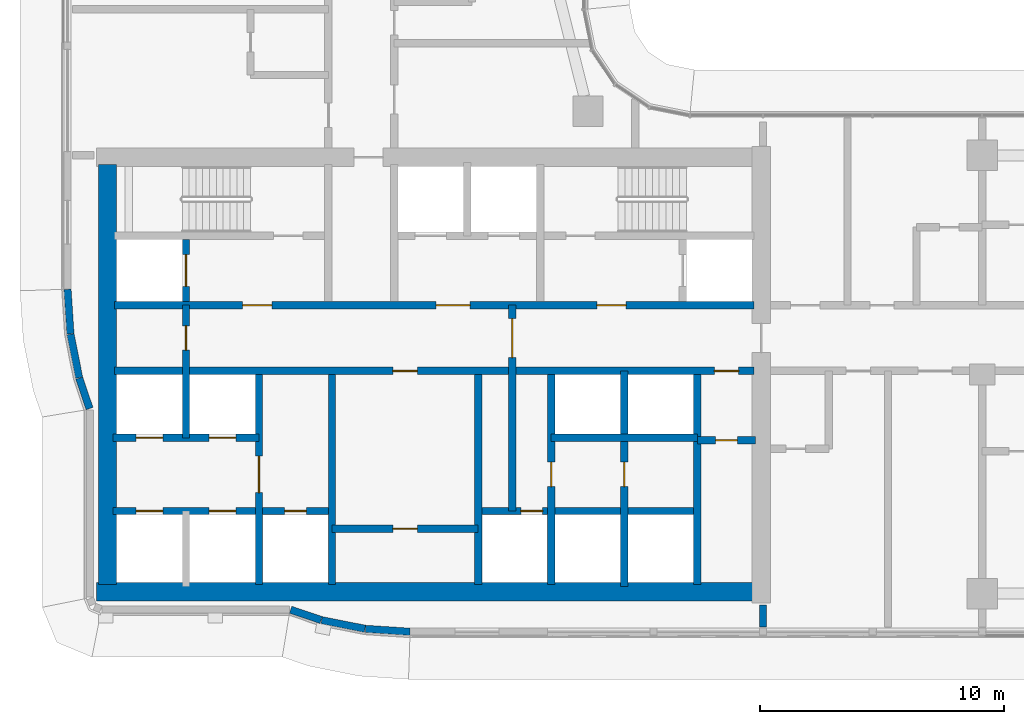
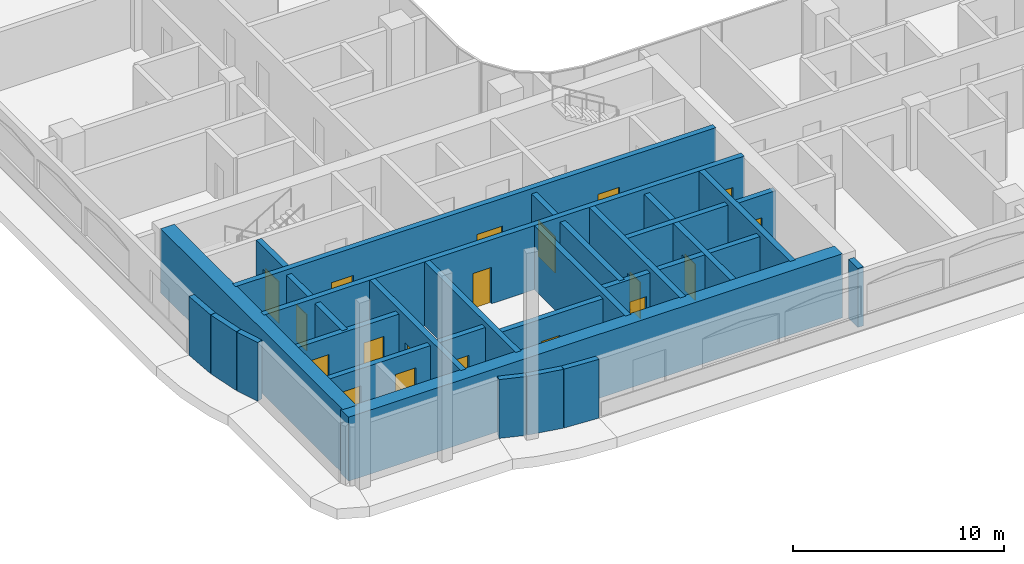
# One storey, part 9 of 25: 26 walls, 19 doors, 19 openings.
"""IFC4 building model written with IfcOpenShell, lengths in metres."""

from ifc_helpers import new_model, si_unit, direction, frame, frame_2d, origin, place, context, subcontext, project, spatial, rectangle, extrude, material, layer, layer_set, type_object, element, fill, save


model = new_model("IFC4")

# Units and contexts
model_context = context("Model", 3, precision=1e-05, world=origin(), true_north=direction((0.0, 1.0)))
body_context = subcontext(model_context, "Body", "Model", "MODEL_VIEW")
ifc_project = project(units=[si_unit("LENGTHUNIT", "METRE"), si_unit("AREAUNIT", "SQUARE_METRE"), si_unit("VOLUMEUNIT", "CUBIC_METRE"), si_unit("PLANEANGLEUNIT", "RADIAN"), si_unit("MASSUNIT", "GRAM", prefix="KILO")], contexts=[model_context])

# Site, building, storey
site_placement = place(None, origin())
site = spatial("IfcSite", under=ifc_project, at=site_placement, CompositionType="ELEMENT")
building_placement = place(site_placement, origin())
building = spatial("IfcBuilding", under=site, at=building_placement, Name="Ogive Portal Towers", CompositionType="ELEMENT")
storey_placement = place(building_placement, frame((0.0, 0.0, 124.10009765625)))
storey = spatial("IfcBuildingStorey", under=building, at=storey_placement, Name="L30", CompositionType="ELEMENT", Elevation=124.10009765625)

# Wall, opening, door
ifc_material_1 = material(Name="Concrete C60/75", Category="concrete")
ifc_layer_1 = layer(ifc_material_1, 0.300048828125)
ifc_layer_set_1 = layer_set([ifc_layer_1], Name="CORE WALL 300 C60")
wall_type_1 = type_object("IfcWallType", Name="CORE WALL 300 C60", PredefinedType="SHEAR", material=ifc_layer_set_1)
wall_1_placement = place(storey_placement, frame((37.800048828125, 21.875, 0.0), z_axis=(0.0, 0.0, 1.0), x_axis=(0.0, 1.0, 0.0)))
wall_1 = element("IfcWall", 1, at=wall_1_placement, inside=storey, type_object=wall_type_1, Name="Core wall X1 L30", PredefinedType="SHEAR", context=body_context, shape_type="SweptSolid", body=[
    extrude(rectangle(XDim=8.625, YDim=0.300048828125, at=frame_2d((4.3125, 0.0))), origin(), (0.0, 0.0, 1.0), 3.699951171875),
])
opening_1_placement = place(wall_1_placement, frame((3.77490234375, 0.0, 0.0)))
opening_1 = element("IfcOpeningElement", 2, at=opening_1_placement, cuts=wall_1, Name="Opening D11-002", PredefinedType="OPENING", context=body_context, shape_type="SweptSolid", body=[
    extrude(rectangle(XDim=1.5, YDim=2.10009765625, at=frame_2d((0.75, 1.050048828125))), frame((0.0, 0.16015625, 0.0), z_axis=(0.0, -1.0, 0.0), x_axis=(1.0, 0.0, 0.0)), (0.0, 0.0, 1.0), 0.320068359375),
])
ifc_material_2 = material(Name="Steel fire door", Category="steel")
door_type_1 = type_object("IfcDoorType", Name="DT-SWING-1500x2100-FD90S", OperationType="SINGLE_SWING_LEFT", PredefinedType="DOOR", material=ifc_material_2)
door_1_placement = place(opening_1_placement, origin())
door_1 = element("IfcDoor", 3, at=door_1_placement, inside=storey, type_object=door_type_1, Name="Door D11-002", OperationType="SINGLE_SWING_LEFT", OverallHeight=2.10009765625, OverallWidth=1.5, PredefinedType="DOOR", context=body_context, shape_type="SweptSolid", body=[
    extrude(rectangle(XDim=1.5, YDim=2.10009765625, at=frame_2d((0.75, 1.050048828125))), frame((0.0, 0.02490234375, 0.0), z_axis=(0.0, -1.0, 0.0), x_axis=(1.0, 0.0, 0.0)), (0.0, 0.0, 1.0), 0.050048828125),
])
fill(opening_1, door_1)

# Walls
for number, where, z_axis, x_axis, name in (
    (4, (40.800048828125, 21.875, 0.0), (0.0, 0.0, 1.0), (0.0, 1.0, 0.0), "Core wall X2 L30"),
    (5, (46.800048828125, 21.875, 0.0), (0.0, 0.0, 1.0), (0.0, 1.0, 0.0), "Core wall X3 L30"),
):
    element("IfcWall", number, at=place(storey_placement, frame(where, z_axis=z_axis, x_axis=x_axis)), inside=storey, type_object=wall_type_1, Name=name, PredefinedType="SHEAR", context=body_context, shape_type="SweptSolid", body=[
        extrude(rectangle(XDim=8.625, YDim=0.300048828125, at=frame_2d((4.3125, 0.0))), origin(), (0.0, 0.0, 1.0), 3.699951171875),
    ])

# Wall, opening, door
wall_2_placement = place(storey_placement, frame((49.800048828125, 21.875, 0.0), z_axis=(0.0, 0.0, 1.0), x_axis=(0.0, 1.0, 0.0)))
wall_2 = element("IfcWall", 6, at=wall_2_placement, inside=storey, type_object=wall_type_1, Name="Core wall X4 L30", PredefinedType="SHEAR", context=body_context, shape_type="SweptSolid", body=[
    extrude(rectangle(XDim=8.625, YDim=0.300048828125, at=frame_2d((4.3125, 0.0))), origin(), (0.0, 0.0, 1.0), 3.699951171875),
])
opening_2_placement = place(wall_2_placement, frame((4.02490234375, 0.0, 0.0)))
opening_2 = element("IfcOpeningElement", 7, at=opening_2_placement, cuts=wall_2, Name="Opening D11-024", PredefinedType="OPENING", context=body_context, shape_type="SweptSolid", body=[
    extrude(rectangle(XDim=1.0, YDim=2.10009765625, at=frame_2d((0.5, 1.050048828125))), frame((0.0, 0.16015625, 0.0), z_axis=(0.0, -1.0, 0.0), x_axis=(1.0, 0.0, 0.0)), (0.0, 0.0, 1.0), 0.320068359375),
])
door_type_2 = type_object("IfcDoorType", Name="DT-SWING-1000x2100-FD90S", OperationType="SINGLE_SWING_LEFT", PredefinedType="DOOR", material=ifc_material_2)
door_2_placement = place(opening_2_placement, origin())
door_2 = element("IfcDoor", 8, at=door_2_placement, inside=storey, type_object=door_type_2, Name="Door D11-024", OperationType="SINGLE_SWING_LEFT", OverallHeight=2.10009765625, OverallWidth=1.0, PredefinedType="DOOR", context=body_context, shape_type="SweptSolid", body=[
    extrude(rectangle(XDim=1.0, YDim=2.10009765625, at=frame_2d((0.5, 1.050048828125))), frame((0.0, 0.02490234375, 0.0), z_axis=(0.0, -1.0, 0.0), x_axis=(1.0, 0.0, 0.0)), (0.0, 0.0, 1.0), 0.050048828125),
])
fill(opening_2, door_2)

# Wall
wall_3_placement = place(storey_placement, frame((55.800048828125, 21.875, 0.0), z_axis=(0.0, 0.0, 1.0), x_axis=(0.0, 1.0, 0.0)))
element("IfcWall", 9, at=wall_3_placement, inside=storey, type_object=wall_type_1, Name="Core wall X5 L30", PredefinedType="SHEAR", context=body_context, shape_type="SweptSolid", body=[
    extrude(rectangle(XDim=8.625, YDim=0.300048828125, at=frame_2d((4.3125, 0.0))), origin(), (0.0, 0.0, 1.0), 3.699951171875),
])

# Wall, openings, doors
wall_4_placement = place(storey_placement, frame((31.875, 30.64990234375, 0.0), z_axis=(0.0, 0.0, 1.0), x_axis=(1.0, 0.0, 0.0)))
wall_4 = element("IfcWall", 10, at=wall_4_placement, inside=storey, type_object=wall_type_1, Name="Core wall Y1 L30", PredefinedType="SHEAR", context=body_context, shape_type="SweptSolid", body=[
    extrude(rectangle(XDim=26.25, YDim=0.300048828125, at=frame_2d((13.125, 0.0))), origin(), (0.0, 0.0, 1.0), 3.699951171875),
])
opening_3_placement = place(wall_4_placement, frame((24.625, 0.0, 0.0)))
opening_3 = element("IfcOpeningElement", 11, at=opening_3_placement, cuts=wall_4, Name="Opening D11-010", PredefinedType="OPENING", context=body_context, shape_type="SweptSolid", body=[
    extrude(rectangle(XDim=1.0, YDim=2.10009765625, at=frame_2d((0.5, 1.050048828125))), frame((0.0, 0.16015625, 0.0), z_axis=(0.0, -1.0, 0.0), x_axis=(1.0, 0.0, 0.0)), (0.0, 0.0, 1.0), 0.320068359375),
])
opening_4_placement = place(wall_4_placement, frame((11.425048828125, 0.0, 0.0)))
opening_4 = element("IfcOpeningElement", 12, at=opening_4_placement, cuts=wall_4, Name="Opening D11-022", PredefinedType="OPENING", context=body_context, shape_type="SweptSolid", body=[
    extrude(rectangle(XDim=1.0, YDim=2.10009765625, at=frame_2d((0.5, 1.050048828125))), frame((0.0, 0.16015625, 0.0), z_axis=(0.0, -1.0, 0.0), x_axis=(1.0, 0.0, 0.0)), (0.0, 0.0, 1.0), 0.320068359375),
])
door_3_placement = place(opening_3_placement, origin())
door_3 = element("IfcDoor", 13, at=door_3_placement, inside=storey, type_object=door_type_2, Name="Door D11-010", OperationType="SINGLE_SWING_LEFT", OverallHeight=2.10009765625, OverallWidth=1.0, PredefinedType="DOOR", context=body_context, shape_type="SweptSolid", body=[
    extrude(rectangle(XDim=1.0, YDim=2.10009765625, at=frame_2d((0.5, 1.050048828125))), frame((0.0, 0.02490234375, 0.0), z_axis=(0.0, -1.0, 0.0), x_axis=(1.0, 0.0, 0.0)), (0.0, 0.0, 1.0), 0.050048828125),
])
fill(opening_3, door_3)
door_4_placement = place(opening_4_placement, origin())
door_4 = element("IfcDoor", 14, at=door_4_placement, inside=storey, type_object=door_type_2, Name="Door D11-022", OperationType="SINGLE_SWING_LEFT", OverallHeight=2.10009765625, OverallWidth=1.0, PredefinedType="DOOR", context=body_context, shape_type="SweptSolid", body=[
    extrude(rectangle(XDim=1.0, YDim=2.10009765625, at=frame_2d((0.5, 1.050048828125))), frame((0.0, 0.02490234375, 0.0), z_axis=(0.0, -1.0, 0.0), x_axis=(1.0, 0.0, 0.0)), (0.0, 0.0, 1.0), 0.050048828125),
])
fill(opening_4, door_4)

wall_5_placement = place(storey_placement, frame((31.875, 33.35009765625, 0.0), z_axis=(0.0, 0.0, 1.0), x_axis=(1.0, 0.0, 0.0)))
wall_5 = element("IfcWall", 15, at=wall_5_placement, inside=storey, type_object=wall_type_1, Name="Core wall Y2 L30", PredefinedType="SHEAR", context=body_context, shape_type="SweptSolid", body=[
    extrude(rectangle(XDim=26.25, YDim=0.300048828125, at=frame_2d((13.125, 0.0))), origin(), (0.0, 0.0, 1.0), 3.699951171875),
])
opening_5_placement = place(wall_5_placement, frame((13.199951171875, 0.0, 0.0)))
opening_5 = element("IfcOpeningElement", 16, at=opening_5_placement, cuts=wall_5, Name="Opening D11-003", PredefinedType="OPENING", context=body_context, shape_type="SweptSolid", body=[
    extrude(rectangle(XDim=1.39990234375, YDim=2.10009765625, at=frame_2d((0.699951171875, 1.050048828125))), frame((0.0, 0.16015625, 0.0), z_axis=(0.0, -1.0, 0.0), x_axis=(1.0, 0.0, 0.0)), (0.0, 0.0, 1.0), 0.320068359375),
])
opening_6_placement = place(wall_5_placement, frame((5.25, 0.0, 0.0)))
opening_6 = element("IfcOpeningElement", 17, at=opening_6_placement, cuts=wall_5, Name="Opening D11-004", PredefinedType="OPENING", context=body_context, shape_type="SweptSolid", body=[
    extrude(rectangle(XDim=1.199951171875, YDim=2.10009765625, at=frame_2d((0.60009765625, 1.050048828125))), frame((0.0, 0.16015625, 0.0), z_axis=(0.0, -1.0, 0.0), x_axis=(1.0, 0.0, 0.0)), (0.0, 0.0, 1.0), 0.320068359375),
])
opening_7_placement = place(wall_5_placement, frame((19.800048828125, 0.0, 0.0)))
opening_7 = element("IfcOpeningElement", 18, at=opening_7_placement, cuts=wall_5, Name="Opening D11-005", PredefinedType="OPENING", context=body_context, shape_type="SweptSolid", body=[
    extrude(rectangle(XDim=1.199951171875, YDim=2.10009765625, at=frame_2d((0.60009765625, 1.050048828125))), frame((0.0, 0.16015625, 0.0), z_axis=(0.0, -1.0, 0.0), x_axis=(1.0, 0.0, 0.0)), (0.0, 0.0, 1.0), 0.320068359375),
])
door_type_3 = type_object("IfcDoorType", Name="DT-SWING-1200x2100-FD90S", OperationType="SINGLE_SWING_LEFT", PredefinedType="DOOR", material=ifc_material_2)
door_5_placement = place(opening_6_placement, origin())
door_5 = element("IfcDoor", 19, at=door_5_placement, inside=storey, type_object=door_type_3, Name="Door D11-004", OperationType="SINGLE_SWING_LEFT", OverallHeight=2.10009765625, OverallWidth=1.199951171875, PredefinedType="DOOR", context=body_context, shape_type="SweptSolid", body=[
    extrude(rectangle(XDim=1.199951171875, YDim=2.10009765625, at=frame_2d((0.60009765625, 1.050048828125))), frame((0.0, 0.02490234375, 0.0), z_axis=(0.0, -1.0, 0.0), x_axis=(1.0, 0.0, 0.0)), (0.0, 0.0, 1.0), 0.050048828125),
])
fill(opening_6, door_5)
door_6_placement = place(opening_7_placement, origin())
door_6 = element("IfcDoor", 20, at=door_6_placement, inside=storey, type_object=door_type_3, Name="Door D11-005", OperationType="SINGLE_SWING_RIGHT", OverallHeight=2.10009765625, OverallWidth=1.199951171875, PredefinedType="DOOR", context=body_context, shape_type="SweptSolid", body=[
    extrude(rectangle(XDim=1.199951171875, YDim=2.10009765625, at=frame_2d((0.60009765625, 1.050048828125))), frame((0.0, 0.02490234375, 0.0), z_axis=(0.0, -1.0, 0.0), x_axis=(1.0, 0.0, 0.0)), (0.0, 0.0, 1.0), 0.050048828125),
])
fill(opening_7, door_6)
door_type_4 = type_object("IfcDoorType", Name="DT-SWING-1400x2100-FD90S", OperationType="SINGLE_SWING_LEFT", PredefinedType="DOOR", material=ifc_material_2)
door_7_placement = place(opening_5_placement, origin())
door_7 = element("IfcDoor", 21, at=door_7_placement, inside=storey, type_object=door_type_4, Name="Door D11-003", OperationType="SINGLE_SWING_RIGHT", OverallHeight=2.10009765625, OverallWidth=1.39990234375, PredefinedType="DOOR", context=body_context, shape_type="SweptSolid", body=[
    extrude(rectangle(XDim=1.39990234375, YDim=2.10009765625, at=frame_2d((0.699951171875, 1.050048828125))), frame((0.0, 0.02490234375, 0.0), z_axis=(0.0, -1.0, 0.0), x_axis=(1.0, 0.0, 0.0)), (0.0, 0.0, 1.0), 0.050048828125),
])
fill(opening_5, door_7)

# Wall, opening, door
wall_6_placement = place(storey_placement, frame((34.800048828125, 33.5, 0.0), z_axis=(0.0, 0.0, 1.0), x_axis=(0.0, 1.0, 0.0)))
wall_6 = element("IfcWall", 22, at=wall_6_placement, inside=storey, type_object=wall_type_1, Name="Core wall X8 L30", PredefinedType="SHEAR", context=body_context, shape_type="SweptSolid", body=[
    extrude(rectangle(XDim=2.550048828125, YDim=0.300048828125, at=frame_2d((1.27490234375, 0.0))), origin(), (0.0, 0.0, 1.0), 3.699951171875),
])
opening_8_placement = place(wall_6_placement, frame((0.625, 0.0, 0.0)))
opening_8 = element("IfcOpeningElement", 23, at=opening_8_placement, cuts=wall_6, Name="Opening D11-020", PredefinedType="OPENING", context=body_context, shape_type="SweptSolid", body=[
    extrude(rectangle(XDim=1.300048828125, YDim=2.39990234375, at=frame_2d((0.64990234375, 1.199951171875))), frame((0.0, 0.16015625, 0.0), z_axis=(0.0, -1.0, 0.0), x_axis=(1.0, 0.0, 0.0)), (0.0, 0.0, 1.0), 0.320068359375),
])
ifc_material_3 = material(Name="Stainless steel", Category="steel")
door_type_5 = type_object("IfcDoorType", Name="DT-LD-1300x2400", OperationType="SLIDING_TO_LEFT", PredefinedType="DOOR", material=ifc_material_3)
door_8_placement = place(opening_8_placement, origin())
door_8 = element("IfcDoor", 24, at=door_8_placement, inside=storey, type_object=door_type_5, Name="Door D11-020", OperationType="SLIDING_TO_LEFT", OverallHeight=2.39990234375, OverallWidth=1.300048828125, PredefinedType="DOOR", context=body_context, shape_type="SweptSolid", body=[
    extrude(rectangle(XDim=1.300048828125, YDim=2.39990234375, at=frame_2d((0.64990234375, 1.199951171875))), frame((0.0, 0.02490234375, 0.0), z_axis=(0.0, -1.0, 0.0), x_axis=(1.0, 0.0, 0.0)), (0.0, 0.0, 1.0), 0.050048828125),
])
fill(opening_8, door_8)

# Walls
ifc_layer_2 = layer(ifc_material_1, 0.75)
ifc_layer_set_2 = layer_set([ifc_layer_2], Name="CORE WALL 750 C60")
wall_type_2 = type_object("IfcWallType", Name="CORE WALL 750 C60", PredefinedType="SHEAR", material=ifc_layer_set_2)
wall_7_placement = place(storey_placement, frame((31.574951171875, 21.875, 0.0), z_axis=(0.0, 0.0, 1.0), x_axis=(0.0, 1.0, 0.0)))
element("IfcWall", 25, at=wall_7_placement, inside=storey, type_object=wall_type_2, Name="Core wall W L30", PredefinedType="SHEAR", context=body_context, shape_type="SweptSolid", body=[
    extrude(rectangle(XDim=17.25, YDim=0.75, at=frame_2d((8.625, 0.0))), origin(), (0.0, 0.0, 1.0), 3.699951171875),
])
wall_8_placement = place(storey_placement, frame((31.125, 21.574951171875, 0.0), z_axis=(0.0, 0.0, 1.0), x_axis=(1.0, 0.0, 0.0)))
element("IfcWall", 26, at=wall_8_placement, inside=storey, type_object=wall_type_2, Name="Core wall S L30", PredefinedType="SHEAR", context=body_context, shape_type="SweptSolid", body=[
    extrude(rectangle(XDim=27.0, YDim=0.75, at=frame_2d((13.5, 0.0))), origin(), (0.0, 0.0, 1.0), 3.699951171875),
])
ifc_material_4 = material(Name="Limestone cladding on lightweight block wall", Category="masonry")
ifc_layer_3 = layer(ifc_material_4, 0.300048828125)
ifc_layer_set_3 = layer_set([ifc_layer_3], Name="EXTERNAL WALL 300 STONE")
wall_type_3 = type_object("IfcWallType", Name="EXTERNAL WALL 300 STONE", PredefinedType="SOLIDWALL", material=ifc_layer_set_3)
wall_9_placement = place(storey_placement, frame((39.1005859375, 20.842041015625, 0.0), z_axis=(0.0, 0.0, 1.0), x_axis=(0.946930456305, -0.32143850255, 0.0)))
element("IfcWall", 27, at=wall_9_placement, inside=storey, type_object=wall_type_3, Name="A:L30:f04:r0:wall", PredefinedType="SOLIDWALL", context=body_context, shape_type="SweptSolid", body=[
    extrude(rectangle(XDim=1.320068359375, YDim=0.300048828125, at=frame_2d((0.66015625, 0.0))), origin(), (0.0, 0.0, 1.0), 3.39990234375),
])
wall_10_placement = place(storey_placement, frame((40.369384765625, 20.41259765625, 0.0), z_axis=(0.0, 0.0, 1.0), x_axis=(0.980796757168, -0.195032615553, 0.0)))
element("IfcWall", 28, at=wall_10_placement, inside=storey, type_object=wall_type_3, Name="A:L30:f05:r0:wall", PredefinedType="SOLIDWALL", context=body_context, shape_type="SweptSolid", body=[
    extrude(rectangle(XDim=1.820068359375, YDim=0.300048828125, at=frame_2d((0.91015625, 0.0))), origin(), (0.0, 0.0, 1.0), 3.39990234375),
])
for number, where, z_axis, x_axis, name in (
    (29, (42.174072265625, 20.054931640625, 0.0), (0.0, 0.0, 1.0), (0.997860660543, -0.065376617685, 0.0), "A:L30:f06:r0:wall"),
    (30, (29.935302734375, 34.0, 0.0), (0.0, 0.0, 1.0), (0.065376617685, -0.997860660543, 0.0), "A:L30:f26:r0:wall"),
):
    element("IfcWall", number, at=place(storey_placement, frame(where, z_axis=z_axis, x_axis=x_axis)), inside=storey, type_object=wall_type_3, Name=name, PredefinedType="SOLIDWALL", context=body_context, shape_type="SweptSolid", body=[
        extrude(rectangle(XDim=1.829833984375, YDim=0.300048828125, at=frame_2d((0.9150390625, 0.0))), origin(), (0.0, 0.0, 1.0), 3.39990234375),
    ])
wall_11_placement = place(storey_placement, frame((30.0576171875, 32.154541015625, 0.0), z_axis=(0.0, 0.0, 1.0), x_axis=(0.195032615553, -0.980796757168, 0.0)))
element("IfcWall", 31, at=wall_11_placement, inside=storey, type_object=wall_type_3, Name="A:L30:f27:r0:wall", PredefinedType="SOLIDWALL", context=body_context, shape_type="SweptSolid", body=[
    extrude(rectangle(XDim=1.820068359375, YDim=0.300048828125, at=frame_2d((0.91015625, 0.0))), origin(), (0.0, 0.0, 1.0), 3.39990234375),
])
wall_12_placement = place(storey_placement, frame((30.417724609375, 30.3505859375, 0.0), z_axis=(0.0, 0.0, 1.0), x_axis=(0.32143850255, -0.946930456305, 0.0)))
element("IfcWall", 32, at=wall_12_placement, inside=storey, type_object=wall_type_3, Name="A:L30:f28:r0:wall", PredefinedType="SOLIDWALL", context=body_context, shape_type="SweptSolid", body=[
    extrude(rectangle(XDim=1.320068359375, YDim=0.300048828125, at=frame_2d((0.66015625, 0.0))), origin(), (0.0, 0.0, 1.0), 3.39990234375),
])

# Wall, opening, door
ifc_material_5 = material(Name="Gypsum board partition on steel studs", Category="steel")
ifc_layer_4 = layer(ifc_material_5, 0.300048828125)
ifc_layer_set_4 = layer_set([ifc_layer_4], Name="WT-PART-300")
wall_type_4 = type_object("IfcWallType", Name="WT-PART-300", PredefinedType="PARTITIONING", material=ifc_layer_set_4)
wall_13_placement = place(storey_placement, frame((40.800048828125, 24.173095703125, 0.0), z_axis=(0.0, 0.0, 1.0), x_axis=(1.0, 0.0, 0.0)))
wall_13 = element("IfcWall", 33, at=wall_13_placement, inside=storey, type_object=wall_type_4, Name="Wall pw:001:L30", PredefinedType="PARTITIONING", context=body_context, shape_type="SweptSolid", body=[
    extrude(rectangle(XDim=6.0, YDim=0.300048828125, at=frame_2d((3.0, 0.0))), origin(), (0.0, 0.0, 1.0), 3.39990234375),
])
opening_9_placement = place(wall_13_placement, frame((2.5, 0.0, 0.0)))
opening_9 = element("IfcOpeningElement", 34, at=opening_9_placement, cuts=wall_13, Name="Opening D11-023", PredefinedType="OPENING", context=body_context, shape_type="SweptSolid", body=[
    extrude(rectangle(XDim=1.0, YDim=2.10009765625, at=frame_2d((0.5, 1.050048828125))), frame((0.0, 0.16015625, 0.0), z_axis=(0.0, -1.0, 0.0), x_axis=(1.0, 0.0, 0.0)), (0.0, 0.0, 1.0), 0.320068359375),
])
door_type_6 = type_object("IfcDoorType", Name="DT-SWING-1000x2100-FD60S", OperationType="SINGLE_SWING_LEFT", PredefinedType="DOOR", material=ifc_material_2)
door_9_placement = place(opening_9_placement, origin())
door_9 = element("IfcDoor", 35, at=door_9_placement, inside=storey, type_object=door_type_6, Name="Riser access door D11-023", OperationType="SINGLE_SWING_RIGHT", OverallHeight=2.10009765625, OverallWidth=1.0, PredefinedType="DOOR", context=body_context, shape_type="SweptSolid", body=[
    extrude(rectangle(XDim=1.0, YDim=2.10009765625, at=frame_2d((0.5, 1.050048828125))), frame((0.0, 0.02490234375, 0.0), z_axis=(0.0, -1.0, 0.0), x_axis=(1.0, 0.0, 0.0)), (0.0, 0.0, 1.0), 0.050048828125),
])
fill(opening_9, door_9)

wall_14_placement = place(storey_placement, frame((55.800048828125, 27.800048828125, 0.0), z_axis=(0.0, 0.0, 1.0), x_axis=(1.0, 0.0, 0.0)))
wall_14 = element("IfcWall", 36, at=wall_14_placement, inside=storey, type_object=wall_type_4, Name="Wall pw:004:L30", PredefinedType="PARTITIONING", context=body_context, shape_type="SweptSolid", body=[
    extrude(rectangle(XDim=2.39990234375, YDim=0.300048828125, at=frame_2d((1.199951171875, 0.0))), origin(), (0.0, 0.0, 1.0), 3.39990234375),
])
opening_10_placement = place(wall_14_placement, frame((0.75, 0.0, 0.0)))
opening_10 = element("IfcOpeningElement", 37, at=opening_10_placement, cuts=wall_14, Name="Opening D11-011", PredefinedType="OPENING", context=body_context, shape_type="SweptSolid", body=[
    extrude(rectangle(XDim=0.89990234375, YDim=2.10009765625, at=frame_2d((0.449951171875, 1.050048828125))), frame((0.0, 0.16015625, 0.0), z_axis=(0.0, -1.0, 0.0), x_axis=(1.0, 0.0, 0.0)), (0.0, 0.0, 1.0), 0.320068359375),
])
door_type_7 = type_object("IfcDoorType", Name="DT-SWING-900x2100-FD60S", OperationType="SINGLE_SWING_LEFT", PredefinedType="DOOR", material=ifc_material_2)
door_10_placement = place(opening_10_placement, origin())
door_10 = element("IfcDoor", 38, at=door_10_placement, inside=storey, type_object=door_type_7, Name="Door D11-011", OperationType="SINGLE_SWING_RIGHT", OverallHeight=2.10009765625, OverallWidth=0.89990234375, PredefinedType="DOOR", context=body_context, shape_type="SweptSolid", body=[
    extrude(rectangle(XDim=0.89990234375, YDim=2.10009765625, at=frame_2d((0.449951171875, 1.050048828125))), frame((0.0, 0.02490234375, 0.0), z_axis=(0.0, -1.0, 0.0), x_axis=(1.0, 0.0, 0.0)), (0.0, 0.0, 1.0), 0.050048828125),
])
fill(opening_10, door_10)

wall_15_placement = place(storey_placement, frame((48.199951171875, 24.89990234375, 0.0), z_axis=(0.0, 0.0, 1.0), x_axis=(0.0, 1.0, 0.0)))
wall_15 = element("IfcWall", 39, at=wall_15_placement, inside=storey, type_object=wall_type_4, Name="Wall pw:011:L30", PredefinedType="PARTITIONING", context=body_context, shape_type="SweptSolid", body=[
    extrude(rectangle(XDim=8.4501953125, YDim=0.300048828125, at=frame_2d((4.22509765625, 0.0))), origin(), (0.0, 0.0, 1.0), 3.39990234375),
])
opening_11_placement = place(wall_15_placement, frame((6.300048828125, 0.0, 0.0)))
opening_11 = element("IfcOpeningElement", 40, at=opening_11_placement, cuts=wall_15, Name="Opening D11-001", PredefinedType="OPENING", context=body_context, shape_type="SweptSolid", body=[
    extrude(rectangle(XDim=1.60009765625, YDim=2.10009765625, at=frame_2d((0.800048828125, 1.050048828125))), frame((0.0, 0.16015625, 0.0), z_axis=(0.0, -1.0, 0.0), x_axis=(1.0, 0.0, 0.0)), (0.0, 0.0, 1.0), 0.320068359375),
])
door_type_8 = type_object("IfcDoorType", Name="DT-SWING-1600x2100-FD60S", OperationType="SINGLE_SWING_LEFT", PredefinedType="DOOR", material=ifc_material_2)
door_11_placement = place(opening_11_placement, origin())
door_11 = element("IfcDoor", 41, at=door_11_placement, inside=storey, type_object=door_type_8, Name="Door D11-001", OperationType="SINGLE_SWING_LEFT", OverallHeight=2.10009765625, OverallWidth=1.60009765625, PredefinedType="DOOR", context=body_context, shape_type="SweptSolid", body=[
    extrude(rectangle(XDim=1.60009765625, YDim=2.10009765625, at=frame_2d((0.800048828125, 1.050048828125))), frame((0.0, 0.02490234375, 0.0), z_axis=(0.0, -1.0, 0.0), x_axis=(1.0, 0.0, 0.0)), (0.0, 0.0, 1.0), 0.050048828125),
])
fill(opening_11, door_11)

# Wall
ifc_layer_5 = layer(ifc_material_5, 0.300048828125)
ifc_layer_set_5 = layer_set([ifc_layer_5], Name="WT-PART-300-EI 60")
wall_type_5 = type_object("IfcWallType", Name="WT-PART-300-EI 60", PredefinedType="PARTITIONING", material=ifc_layer_set_5)
wall_16_placement = place(storey_placement, frame((58.5, 20.135009765625, 0.0), z_axis=(0.0, 0.0, 1.0), x_axis=(0.0, 1.0, 0.0)))
element("IfcWall", 42, at=wall_16_placement, inside=storey, type_object=wall_type_5, Name="Wall L30:w044", PredefinedType="PARTITIONING", context=body_context, shape_type="SweptSolid", body=[
    extrude(rectangle(XDim=0.89501953125, YDim=0.300048828125, at=frame_2d((0.447509765625, 0.0))), origin(), (0.0, 0.0, 1.0), 3.39990234375),
])

# Wall, openings, doors
ifc_material_6 = material(Name="Concrete C40/50", Category="concrete")
ifc_layer_6 = layer(ifc_material_6, 0.300048828125)
ifc_layer_set_6 = layer_set([ifc_layer_6], Name="WT-SHAFT-300")
wall_type_6 = type_object("IfcWallType", Name="WT-SHAFT-300", PredefinedType="SOLIDWALL", material=ifc_layer_set_6)
wall_17_placement = place(storey_placement, frame((31.800048828125, 24.89990234375, 0.0), z_axis=(0.0, 0.0, 1.0), x_axis=(1.0, 0.0, 0.0)))
wall_17 = element("IfcWall", 43, at=wall_17_placement, inside=storey, type_object=wall_type_6, Name="Wall pw:002:L30", PredefinedType="SOLIDWALL", context=body_context, shape_type="SweptSolid", body=[
    extrude(rectangle(XDim=9.0, YDim=0.300048828125, at=frame_2d((4.5, 0.0))), origin(), (0.0, 0.0, 1.0), 3.39990234375),
])
opening_12_placement = place(wall_17_placement, frame((7.050048828125, 0.0, 0.0)))
opening_12 = element("IfcOpeningElement", 44, at=opening_12_placement, cuts=wall_17, Name="Opening D11-008", PredefinedType="OPENING", context=body_context, shape_type="SweptSolid", body=[
    extrude(rectangle(XDim=0.89990234375, YDim=2.10009765625, at=frame_2d((0.449951171875, 1.050048828125))), frame((0.0, 0.16015625, 0.0), z_axis=(0.0, -1.0, 0.0), x_axis=(1.0, 0.0, 0.0)), (0.0, 0.0, 1.0), 0.320068359375),
])
opening_13_placement = place(wall_17_placement, frame((0.949951171875, 0.0, 0.0)))
opening_13 = element("IfcOpeningElement", 45, at=opening_13_placement, cuts=wall_17, Name="Opening D11-014", PredefinedType="OPENING", context=body_context, shape_type="SweptSolid", body=[
    extrude(rectangle(XDim=1.10009765625, YDim=2.39990234375, at=frame_2d((0.550048828125, 1.199951171875))), frame((0.0, 0.16015625, 0.0), z_axis=(0.0, -1.0, 0.0), x_axis=(1.0, 0.0, 0.0)), (0.0, 0.0, 1.0), 0.320068359375),
])
opening_14_placement = place(wall_17_placement, frame((3.949951171875, 0.0, 0.0)))
opening_14 = element("IfcOpeningElement", 46, at=opening_14_placement, cuts=wall_17, Name="Opening D11-015", PredefinedType="OPENING", context=body_context, shape_type="SweptSolid", body=[
    extrude(rectangle(XDim=1.10009765625, YDim=2.39990234375, at=frame_2d((0.550048828125, 1.199951171875))), frame((0.0, 0.16015625, 0.0), z_axis=(0.0, -1.0, 0.0), x_axis=(1.0, 0.0, 0.0)), (0.0, 0.0, 1.0), 0.320068359375),
])
door_type_9 = type_object("IfcDoorType", Name="DT-LD-1100x2400", OperationType="SLIDING_TO_LEFT", PredefinedType="DOOR", material=ifc_material_3)
door_12_placement = place(opening_13_placement, origin())
door_12 = element("IfcDoor", 47, at=door_12_placement, inside=storey, type_object=door_type_9, Name="Door D11-014", OperationType="SLIDING_TO_LEFT", OverallHeight=2.39990234375, OverallWidth=1.10009765625, PredefinedType="DOOR", context=body_context, shape_type="SweptSolid", body=[
    extrude(rectangle(XDim=1.10009765625, YDim=2.39990234375, at=frame_2d((0.550048828125, 1.199951171875))), frame((0.0, 0.02490234375, 0.0), z_axis=(0.0, -1.0, 0.0), x_axis=(1.0, 0.0, 0.0)), (0.0, 0.0, 1.0), 0.050048828125),
])
fill(opening_13, door_12)
door_13_placement = place(opening_14_placement, origin())
door_13 = element("IfcDoor", 48, at=door_13_placement, inside=storey, type_object=door_type_9, Name="Door D11-015", OperationType="SLIDING_TO_LEFT", OverallHeight=2.39990234375, OverallWidth=1.10009765625, PredefinedType="DOOR", context=body_context, shape_type="SweptSolid", body=[
    extrude(rectangle(XDim=1.10009765625, YDim=2.39990234375, at=frame_2d((0.550048828125, 1.199951171875))), frame((0.0, 0.02490234375, 0.0), z_axis=(0.0, -1.0, 0.0), x_axis=(1.0, 0.0, 0.0)), (0.0, 0.0, 1.0), 0.050048828125),
])
fill(opening_14, door_13)
door_type_10 = type_object("IfcDoorType", Name="DT-SWING-900x2100-FD90S", OperationType="SINGLE_SWING_LEFT", PredefinedType="DOOR", material=ifc_material_2)
door_14_placement = place(opening_12_placement, origin())
door_14 = element("IfcDoor", 49, at=door_14_placement, inside=storey, type_object=door_type_10, Name="Riser access door D11-008", OperationType="SINGLE_SWING_LEFT", OverallHeight=2.10009765625, OverallWidth=0.89990234375, PredefinedType="DOOR", context=body_context, shape_type="SweptSolid", body=[
    extrude(rectangle(XDim=0.89990234375, YDim=2.10009765625, at=frame_2d((0.449951171875, 1.050048828125))), frame((0.0, 0.02490234375, 0.0), z_axis=(0.0, -1.0, 0.0), x_axis=(1.0, 0.0, 0.0)), (0.0, 0.0, 1.0), 0.050048828125),
])
fill(opening_12, door_14)

# Wall, opening, door
wall_18_placement = place(storey_placement, frame((46.800048828125, 24.89990234375, 0.0), z_axis=(0.0, 0.0, 1.0), x_axis=(1.0, 0.0, 0.0)))
wall_18 = element("IfcWall", 50, at=wall_18_placement, inside=storey, type_object=wall_type_6, Name="Wall pw:003:L30", PredefinedType="SOLIDWALL", context=body_context, shape_type="SweptSolid", body=[
    extrude(rectangle(XDim=9.0, YDim=0.300048828125, at=frame_2d((4.5, 0.0))), origin(), (0.0, 0.0, 1.0), 3.39990234375),
])
opening_15_placement = place(wall_18_placement, frame((1.75, 0.0, 0.0)))
opening_15 = element("IfcOpeningElement", 51, at=opening_15_placement, cuts=wall_18, Name="Opening D11-009", PredefinedType="OPENING", context=body_context, shape_type="SweptSolid", body=[
    extrude(rectangle(XDim=0.89990234375, YDim=2.10009765625, at=frame_2d((0.449951171875, 1.050048828125))), frame((0.0, 0.16015625, 0.0), z_axis=(0.0, -1.0, 0.0), x_axis=(1.0, 0.0, 0.0)), (0.0, 0.0, 1.0), 0.320068359375),
])
door_15_placement = place(opening_15_placement, origin())
door_15 = element("IfcDoor", 52, at=door_15_placement, inside=storey, type_object=door_type_10, Name="Riser access door D11-009", OperationType="SINGLE_SWING_RIGHT", OverallHeight=2.10009765625, OverallWidth=0.89990234375, PredefinedType="DOOR", context=body_context, shape_type="SweptSolid", body=[
    extrude(rectangle(XDim=0.89990234375, YDim=2.10009765625, at=frame_2d((0.449951171875, 1.050048828125))), frame((0.0, 0.02490234375, 0.0), z_axis=(0.0, -1.0, 0.0), x_axis=(1.0, 0.0, 0.0)), (0.0, 0.0, 1.0), 0.050048828125),
])
fill(opening_15, door_15)

# Wall, openings, doors
wall_19_placement = place(storey_placement, frame((31.800048828125, 27.89990234375, 0.0), z_axis=(0.0, 0.0, 1.0), x_axis=(1.0, 0.0, 0.0)))
wall_19 = element("IfcWall", 53, at=wall_19_placement, inside=storey, type_object=wall_type_6, Name="Wall pw:005:L30", PredefinedType="SOLIDWALL", context=body_context, shape_type="SweptSolid", body=[
    extrude(rectangle(XDim=6.0, YDim=0.300048828125, at=frame_2d((3.0, 0.0))), origin(), (0.0, 0.0, 1.0), 3.39990234375),
])
opening_16_placement = place(wall_19_placement, frame((0.949951171875, 0.0, 0.0)))
opening_16 = element("IfcOpeningElement", 54, at=opening_16_placement, cuts=wall_19, Name="Opening D11-016", PredefinedType="OPENING", context=body_context, shape_type="SweptSolid", body=[
    extrude(rectangle(XDim=1.10009765625, YDim=2.39990234375, at=frame_2d((0.550048828125, 1.199951171875))), frame((0.0, 0.16015625, 0.0), z_axis=(0.0, -1.0, 0.0), x_axis=(1.0, 0.0, 0.0)), (0.0, 0.0, 1.0), 0.320068359375),
])
opening_17_placement = place(wall_19_placement, frame((3.949951171875, 0.0, 0.0)))
opening_17 = element("IfcOpeningElement", 55, at=opening_17_placement, cuts=wall_19, Name="Opening D11-017", PredefinedType="OPENING", context=body_context, shape_type="SweptSolid", body=[
    extrude(rectangle(XDim=1.10009765625, YDim=2.39990234375, at=frame_2d((0.550048828125, 1.199951171875))), frame((0.0, 0.16015625, 0.0), z_axis=(0.0, -1.0, 0.0), x_axis=(1.0, 0.0, 0.0)), (0.0, 0.0, 1.0), 0.320068359375),
])
door_16_placement = place(opening_16_placement, origin())
door_16 = element("IfcDoor", 56, at=door_16_placement, inside=storey, type_object=door_type_9, Name="Door D11-016", OperationType="SLIDING_TO_LEFT", OverallHeight=2.39990234375, OverallWidth=1.10009765625, PredefinedType="DOOR", context=body_context, shape_type="SweptSolid", body=[
    extrude(rectangle(XDim=1.10009765625, YDim=2.39990234375, at=frame_2d((0.550048828125, 1.199951171875))), frame((0.0, 0.02490234375, 0.0), z_axis=(0.0, -1.0, 0.0), x_axis=(1.0, 0.0, 0.0)), (0.0, 0.0, 1.0), 0.050048828125),
])
fill(opening_16, door_16)
door_17_placement = place(opening_17_placement, origin())
door_17 = element("IfcDoor", 57, at=door_17_placement, inside=storey, type_object=door_type_9, Name="Door D11-017", OperationType="SLIDING_TO_LEFT", OverallHeight=2.39990234375, OverallWidth=1.10009765625, PredefinedType="DOOR", context=body_context, shape_type="SweptSolid", body=[
    extrude(rectangle(XDim=1.10009765625, YDim=2.39990234375, at=frame_2d((0.550048828125, 1.199951171875))), frame((0.0, 0.02490234375, 0.0), z_axis=(0.0, -1.0, 0.0), x_axis=(1.0, 0.0, 0.0)), (0.0, 0.0, 1.0), 0.050048828125),
])
fill(opening_17, door_17)

# Wall
wall_20_placement = place(storey_placement, frame((49.800048828125, 27.89990234375, 0.0), z_axis=(0.0, 0.0, 1.0), x_axis=(1.0, 0.0, 0.0)))
element("IfcWall", 58, at=wall_20_placement, inside=storey, type_object=wall_type_6, Name="Wall pw:006:L30", PredefinedType="SOLIDWALL", context=body_context, shape_type="SweptSolid", body=[
    extrude(rectangle(XDim=6.0, YDim=0.300048828125, at=frame_2d((3.0, 0.0))), origin(), (0.0, 0.0, 1.0), 3.39990234375),
])

# Wall, opening, door
wall_21_placement = place(storey_placement, frame((34.800048828125, 27.89990234375, 0.0), z_axis=(0.0, 0.0, 1.0), x_axis=(0.0, 1.0, 0.0)))
wall_21 = element("IfcWall", 59, at=wall_21_placement, inside=storey, type_object=wall_type_6, Name="Wall pw:009:L30", PredefinedType="SOLIDWALL", context=body_context, shape_type="SweptSolid", body=[
    extrude(rectangle(XDim=5.4501953125, YDim=0.300048828125, at=frame_2d((2.72509765625, 0.0))), origin(), (0.0, 0.0, 1.0), 3.39990234375),
])
opening_18_placement = place(wall_21_placement, frame((3.60009765625, 0.0, 0.0)))
opening_18 = element("IfcOpeningElement", 60, at=opening_18_placement, cuts=wall_21, Name="Opening D11-026", PredefinedType="OPENING", context=body_context, shape_type="SweptSolid", body=[
    extrude(rectangle(XDim=1.0, YDim=2.10009765625, at=frame_2d((0.5, 1.050048828125))), frame((0.0, 0.16015625, 0.0), z_axis=(0.0, -1.0, 0.0), x_axis=(1.0, 0.0, 0.0)), (0.0, 0.0, 1.0), 0.320068359375),
])
door_18_placement = place(opening_18_placement, origin())
door_18 = element("IfcDoor", 61, at=door_18_placement, inside=storey, type_object=door_type_2, Name="Door D11-026", OperationType="SINGLE_SWING_LEFT", OverallHeight=2.10009765625, OverallWidth=1.0, PredefinedType="DOOR", context=body_context, shape_type="SweptSolid", body=[
    extrude(rectangle(XDim=1.0, YDim=2.10009765625, at=frame_2d((0.5, 1.050048828125))), frame((0.0, 0.02490234375, 0.0), z_axis=(0.0, -1.0, 0.0), x_axis=(1.0, 0.0, 0.0)), (0.0, 0.0, 1.0), 0.050048828125),
])
fill(opening_18, door_18)

wall_22_placement = place(storey_placement, frame((52.800048828125, 21.800048828125, 0.0), z_axis=(0.0, 0.0, 1.0), x_axis=(0.0, 1.0, 0.0)))
wall_22 = element("IfcWall", 62, at=wall_22_placement, inside=storey, type_object=wall_type_6, Name="Wall pw:012:L30", PredefinedType="SOLIDWALL", context=body_context, shape_type="SweptSolid", body=[
    extrude(rectangle(XDim=8.849853515625, YDim=0.300048828125, at=frame_2d((4.4248046875, 0.0))), origin(), (0.0, 0.0, 1.0), 3.39990234375),
])
opening_19_placement = place(wall_22_placement, frame((4.10009765625, 0.0, 0.0)))
opening_19 = element("IfcOpeningElement", 63, at=opening_19_placement, cuts=wall_22, Name="Opening D11-025", PredefinedType="OPENING", context=body_context, shape_type="SweptSolid", body=[
    extrude(rectangle(XDim=1.0, YDim=2.10009765625, at=frame_2d((0.5, 1.050048828125))), frame((0.0, 0.16015625, 0.0), z_axis=(0.0, -1.0, 0.0), x_axis=(1.0, 0.0, 0.0)), (0.0, 0.0, 1.0), 0.320068359375),
])
door_19_placement = place(opening_19_placement, origin())
door_19 = element("IfcDoor", 64, at=door_19_placement, inside=storey, type_object=door_type_2, Name="Door D11-025", OperationType="SINGLE_SWING_RIGHT", OverallHeight=2.10009765625, OverallWidth=1.0, PredefinedType="DOOR", context=body_context, shape_type="SweptSolid", body=[
    extrude(rectangle(XDim=1.0, YDim=2.10009765625, at=frame_2d((0.5, 1.050048828125))), frame((0.0, 0.02490234375, 0.0), z_axis=(0.0, -1.0, 0.0), x_axis=(1.0, 0.0, 0.0)), (0.0, 0.0, 1.0), 0.050048828125),
])
fill(opening_19, door_19)

save(model, "model.ifc")
